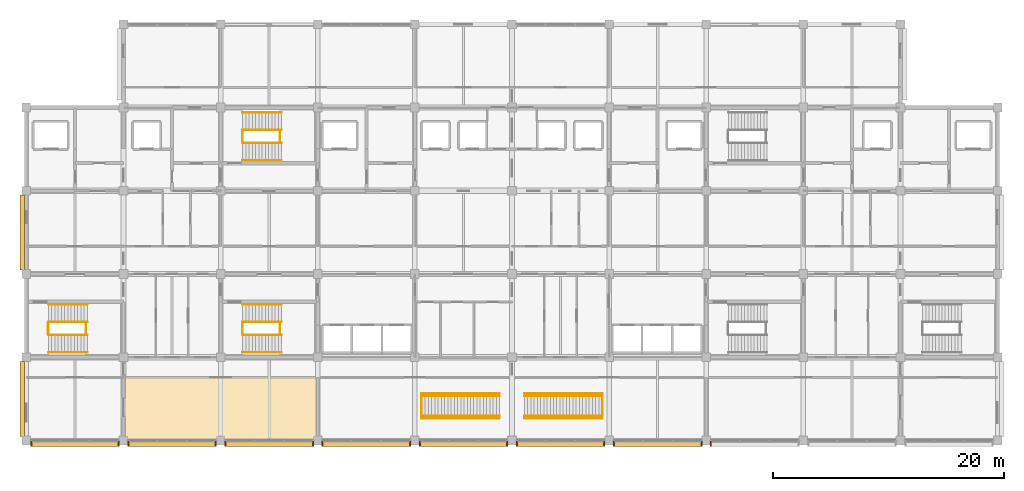
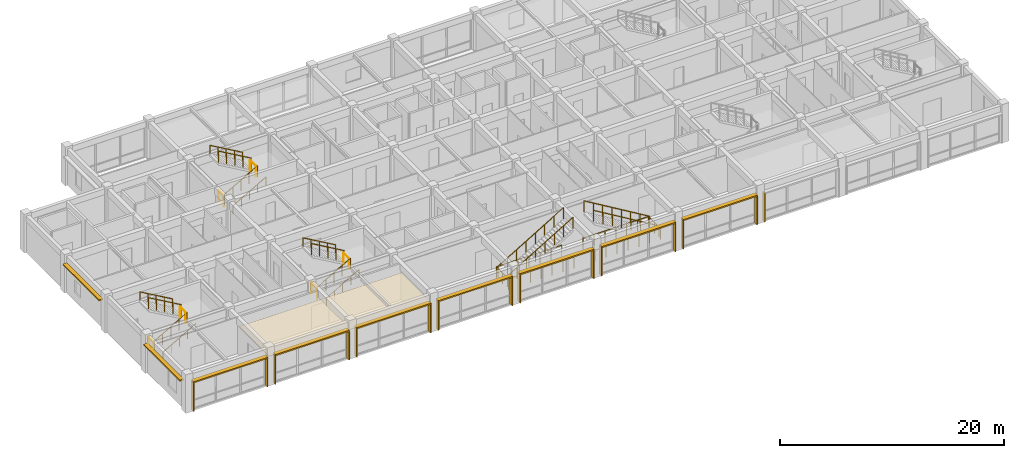
# One storey, part 25 of 27: 28 railings, 24 shading devices, 1 covering.
"""IFC4 building model written with IfcOpenShell, lengths in metres."""

from ifc_helpers import new_model, si_unit, direction, frame, origin, origin_2d, place, context, subcontext, project, spatial, polyline, rectangle, circle, outline, extrude, material, layer, layer_set, type_object, element, save


model = new_model("IFC4")

# Units and contexts
model_context = context("Model", 3, precision=1e-05, world=origin(), true_north=direction((0.0, 1.0)))
body_context = subcontext(model_context, "Body", "Model", "MODEL_VIEW")
ifc_project = project(units=[si_unit("LENGTHUNIT", "METRE"), si_unit("AREAUNIT", "SQUARE_METRE"), si_unit("VOLUMEUNIT", "CUBIC_METRE"), si_unit("PLANEANGLEUNIT", "RADIAN"), si_unit("MASSUNIT", "GRAM", prefix="KILO")], contexts=[model_context])

# Site, building, storey
site_placement = place(None, origin())
site = spatial("IfcSite", under=ifc_project, at=site_placement, CompositionType="ELEMENT")
building_placement = place(site_placement, origin())
building = spatial("IfcBuilding", under=site, at=building_placement, Name="Chengyuan Square Courthouse", CompositionType="ELEMENT")
storey_placement = place(building_placement, frame((0.0, 0.0, 39.300048828125)))
storey = spatial("IfcBuildingStorey", under=building, at=storey_placement, Name="L09", CompositionType="ELEMENT", Elevation=39.300048828125)

# Covering
ifc_material_1 = material(Name="Perforated Larch Glulam Acoustic Slat Ceiling", Category="wood")
ifc_layer = layer(ifc_material_1, 0.044921875)
ifc_layer_set = layer_set([ifc_layer], Name="Perforated Larch Glulam Acoustic Slat Ceiling")
covering_type = type_object("IfcCoveringType", Name="CLG-01", PredefinedType="CEILING", material=ifc_layer_set)
covering_placement = place(storey_placement, frame((0.0, 0.0, 2.849853515625)))
element("IfcCovering", 1, at=covering_placement, inside=storey, type_object=covering_type, Name="Acoustic Timber Slat Ceiling CLG-L09-CRT-A1", PredefinedType="CEILING", context=body_context, shape_type="SweptSolid", body=[
    extrude(outline(polyline([(50.449951171875, 79.25), (67.14990234375, 79.25), (67.14990234375, 84.60009765625), (50.449951171875, 84.60009765625), (50.449951171875, 79.25)])), origin(), (0.0, 0.0, 1.0), 0.045166015625),
])

# Railings
ifc_material_2 = material(Name="Tempered Glass and Timber Top-Rail Balustrade", Category="wood")
railing_type_1 = type_object("IfcRailingType", Name="RL-02", PredefinedType="BALUSTRADE", material=ifc_material_2)
for number, where, name in (
    (2, (60.68994140625, 105.0, 0.0), "Stair Floor Slot Guard ST-1 L09"),
    (3, (63.949951171875, 105.0, 2.099853515625), "Stair Landing Guard ST-1-L09"),
):
    element("IfcRailing", number, at=place(storey_placement, frame(where)), inside=storey, type_object=railing_type_1, Name=name, PredefinedType="BALUSTRADE", context=body_context, shape_type="SweptSolid", body=[
        extrude(circle(Radius=0.02392578125, at=origin_2d()), frame((0.0, 0.0, 1.17578125), z_axis=(0.0, 1.0, 0.0), x_axis=(-1.0, 0.0, 0.0)), (0.0, 0.0, 1.0), 1.0),
        extrude(circle(Radius=0.02099609375, at=origin_2d()), origin(), (0.0, 0.0, 1.0), 1.15185546875),
        extrude(circle(Radius=0.02099609375, at=origin_2d()), frame((0.0, 1.0, 0.0)), (0.0, 0.0, 1.0), 1.15185546875),
    ])
railing_1_placement = place(storey_placement, frame((60.7099609375, 104.949951171875, 0.161376953125)))
element("IfcRailing", 4, at=railing_1_placement, inside=storey, type_object=railing_type_1, Name="Stair Flight 1 Guard ST-1-L09", PredefinedType="BALUSTRADE", context=body_context, shape_type="SweptSolid", body=[
    extrude(circle(Radius=0.02392578125, at=origin_2d()), frame((0.0, 0.0, 1.17578125), z_axis=(0.866190824863, 0.0, 0.499713372768), x_axis=(0.0, 1.0, 0.0)), (0.0, 0.0, 1.0), 3.879150390625),
    extrude(circle(Radius=0.02099609375, at=origin_2d()), origin(), (0.0, 0.0, 1.0), 1.15185546875),
    extrude(circle(Radius=0.02099609375, at=origin_2d()), frame((0.840087890625, 0.0, 0.484619140625)), (0.0, 0.0, 1.0), 1.15185546875),
    extrude(circle(Radius=0.02099609375, at=origin_2d()), frame((1.68017578125, 0.0, 0.96923828125)), (0.0, 0.0, 1.0), 1.15185546875),
    extrude(circle(Radius=0.02099609375, at=origin_2d()), frame((2.52001953125, 0.0, 1.453857421875)), (0.0, 0.0, 1.0), 1.15185546875),
    extrude(circle(Radius=0.02099609375, at=origin_2d()), frame((3.360107421875, 0.0, 1.9384765625)), (0.0, 0.0, 1.0), 1.15185546875),
])
railing_2_placement = place(storey_placement, frame((64.070068359375, 106.050048828125, 2.261474609375)))
element("IfcRailing", 5, at=railing_2_placement, inside=storey, type_object=railing_type_1, Name="Stair Flight 2 Guard ST-1-L09", PredefinedType="BALUSTRADE", context=body_context, shape_type="SweptSolid", body=[
    extrude(circle(Radius=0.02392578125, at=origin_2d()), frame((0.0, 0.0, 1.17578125), z_axis=(-0.866190824863, 0.0, 0.499713372768), x_axis=(0.0, -1.0, 0.0)), (0.0, 0.0, 1.0), 3.879150390625),
    extrude(circle(Radius=0.02099609375, at=origin_2d()), origin(), (0.0, 0.0, 1.0), 1.15185546875),
    extrude(circle(Radius=0.02099609375, at=origin_2d()), frame((-0.840087890625, 0.0, 0.484619140625)), (0.0, 0.0, 1.0), 1.15185546875),
    extrude(circle(Radius=0.02099609375, at=origin_2d()), frame((-1.68017578125, 0.0, 0.96923828125)), (0.0, 0.0, 1.0), 1.15185546875),
    extrude(circle(Radius=0.02099609375, at=origin_2d()), frame((-2.52001953125, 0.0, 1.453857421875)), (0.0, 0.0, 1.0), 1.15185546875),
    extrude(circle(Radius=0.02099609375, at=origin_2d()), frame((-3.360107421875, 0.0, 1.9384765625)), (0.0, 0.0, 1.0), 1.15185546875),
])
for number, where, name in (
    (6, (60.68994140625, 88.39990234375, 0.0), "Stair Floor Slot Guard ST-3 L09"),
    (7, (63.949951171875, 88.39990234375, 2.099853515625), "Stair Landing Guard ST-3-L09"),
):
    element("IfcRailing", number, at=place(storey_placement, frame(where)), inside=storey, type_object=railing_type_1, Name=name, PredefinedType="BALUSTRADE", context=body_context, shape_type="SweptSolid", body=[
        extrude(circle(Radius=0.02392578125, at=origin_2d()), frame((0.0, 0.0, 1.17578125), z_axis=(0.0, 1.0, 0.0), x_axis=(-1.0, 0.0, 0.0)), (0.0, 0.0, 1.0), 1.0),
        extrude(circle(Radius=0.02099609375, at=origin_2d()), origin(), (0.0, 0.0, 1.0), 1.15185546875),
        extrude(circle(Radius=0.02099609375, at=origin_2d()), frame((0.0, 1.0, 0.0)), (0.0, 0.0, 1.0), 1.15185546875),
    ])
railing_3_placement = place(storey_placement, frame((60.7099609375, 88.35009765625, 0.161376953125)))
element("IfcRailing", 8, at=railing_3_placement, inside=storey, type_object=railing_type_1, Name="Stair Flight 1 Guard ST-3-L09", PredefinedType="BALUSTRADE", context=body_context, shape_type="SweptSolid", body=[
    extrude(circle(Radius=0.02392578125, at=origin_2d()), frame((0.0, 0.0, 1.17578125), z_axis=(0.866190824863, 0.0, 0.499713372768), x_axis=(0.0, 1.0, 0.0)), (0.0, 0.0, 1.0), 3.879150390625),
    extrude(circle(Radius=0.02099609375, at=origin_2d()), origin(), (0.0, 0.0, 1.0), 1.15185546875),
    extrude(circle(Radius=0.02099609375, at=origin_2d()), frame((0.840087890625, 0.0, 0.484619140625)), (0.0, 0.0, 1.0), 1.15185546875),
    extrude(circle(Radius=0.02099609375, at=origin_2d()), frame((1.68017578125, 0.0, 0.96923828125)), (0.0, 0.0, 1.0), 1.15185546875),
    extrude(circle(Radius=0.02099609375, at=origin_2d()), frame((2.52001953125, 0.0, 1.453857421875)), (0.0, 0.0, 1.0), 1.15185546875),
    extrude(circle(Radius=0.02099609375, at=origin_2d()), frame((3.360107421875, 0.0, 1.9384765625)), (0.0, 0.0, 1.0), 1.15185546875),
])
railing_4_placement = place(storey_placement, frame((64.070068359375, 89.449951171875, 2.261474609375)))
element("IfcRailing", 9, at=railing_4_placement, inside=storey, type_object=railing_type_1, Name="Stair Flight 2 Guard ST-3-L09", PredefinedType="BALUSTRADE", context=body_context, shape_type="SweptSolid", body=[
    extrude(circle(Radius=0.02392578125, at=origin_2d()), frame((0.0, 0.0, 1.17578125), z_axis=(-0.866190824863, 0.0, 0.499713372768), x_axis=(0.0, -1.0, 0.0)), (0.0, 0.0, 1.0), 3.879150390625),
    extrude(circle(Radius=0.02099609375, at=origin_2d()), origin(), (0.0, 0.0, 1.0), 1.15185546875),
    extrude(circle(Radius=0.02099609375, at=origin_2d()), frame((-0.840087890625, 0.0, 0.484619140625)), (0.0, 0.0, 1.0), 1.15185546875),
    extrude(circle(Radius=0.02099609375, at=origin_2d()), frame((-1.68017578125, 0.0, 0.96923828125)), (0.0, 0.0, 1.0), 1.15185546875),
    extrude(circle(Radius=0.02099609375, at=origin_2d()), frame((-2.52001953125, 0.0, 1.453857421875)), (0.0, 0.0, 1.0), 1.15185546875),
    extrude(circle(Radius=0.02099609375, at=origin_2d()), frame((-3.360107421875, 0.0, 1.9384765625)), (0.0, 0.0, 1.0), 1.15185546875),
])
for number, where, name in (
    (10, (43.889892578125, 88.39990234375, 0.0), "Stair Floor Slot Guard ST-5 L09"),
    (11, (47.14990234375, 88.39990234375, 2.099853515625), "Stair Landing Guard ST-5-L09"),
):
    element("IfcRailing", number, at=place(storey_placement, frame(where)), inside=storey, type_object=railing_type_1, Name=name, PredefinedType="BALUSTRADE", context=body_context, shape_type="SweptSolid", body=[
        extrude(circle(Radius=0.02392578125, at=origin_2d()), frame((0.0, 0.0, 1.17578125), z_axis=(0.0, 1.0, 0.0), x_axis=(-1.0, 0.0, 0.0)), (0.0, 0.0, 1.0), 1.0),
        extrude(circle(Radius=0.02099609375, at=origin_2d()), origin(), (0.0, 0.0, 1.0), 1.15185546875),
        extrude(circle(Radius=0.02099609375, at=origin_2d()), frame((0.0, 1.0, 0.0)), (0.0, 0.0, 1.0), 1.15185546875),
    ])
railing_5_placement = place(storey_placement, frame((43.909912109375, 88.35009765625, 0.161376953125)))
element("IfcRailing", 12, at=railing_5_placement, inside=storey, type_object=railing_type_1, Name="Stair Flight 1 Guard ST-5-L09", PredefinedType="BALUSTRADE", context=body_context, shape_type="SweptSolid", body=[
    extrude(circle(Radius=0.02392578125, at=origin_2d()), frame((0.0, 0.0, 1.17578125), z_axis=(0.866190824863, 0.0, 0.499713372768), x_axis=(0.0, 1.0, 0.0)), (0.0, 0.0, 1.0), 3.879150390625),
    extrude(circle(Radius=0.02099609375, at=origin_2d()), origin(), (0.0, 0.0, 1.0), 1.15185546875),
    extrude(circle(Radius=0.02099609375, at=origin_2d()), frame((0.840087890625, 0.0, 0.484619140625)), (0.0, 0.0, 1.0), 1.15185546875),
    extrude(circle(Radius=0.02099609375, at=origin_2d()), frame((1.68017578125, 0.0, 0.96923828125)), (0.0, 0.0, 1.0), 1.15185546875),
    extrude(circle(Radius=0.02099609375, at=origin_2d()), frame((2.52001953125, 0.0, 1.453857421875)), (0.0, 0.0, 1.0), 1.15185546875),
    extrude(circle(Radius=0.02099609375, at=origin_2d()), frame((3.360107421875, 0.0, 1.9384765625)), (0.0, 0.0, 1.0), 1.15185546875),
])
railing_6_placement = place(storey_placement, frame((47.27001953125, 89.449951171875, 2.261474609375)))
element("IfcRailing", 13, at=railing_6_placement, inside=storey, type_object=railing_type_1, Name="Stair Flight 2 Guard ST-5-L09", PredefinedType="BALUSTRADE", context=body_context, shape_type="SweptSolid", body=[
    extrude(circle(Radius=0.02392578125, at=origin_2d()), frame((0.0, 0.0, 1.17578125), z_axis=(-0.866190824863, 0.0, 0.499713372768), x_axis=(0.0, -1.0, 0.0)), (0.0, 0.0, 1.0), 3.879150390625),
    extrude(circle(Radius=0.02099609375, at=origin_2d()), origin(), (0.0, 0.0, 1.0), 1.15185546875),
    extrude(circle(Radius=0.02099609375, at=origin_2d()), frame((-0.840087890625, 0.0, 0.484619140625)), (0.0, 0.0, 1.0), 1.15185546875),
    extrude(circle(Radius=0.02099609375, at=origin_2d()), frame((-1.68017578125, 0.0, 0.96923828125)), (0.0, 0.0, 1.0), 1.15185546875),
    extrude(circle(Radius=0.02099609375, at=origin_2d()), frame((-2.52001953125, 0.0, 1.453857421875)), (0.0, 0.0, 1.0), 1.15185546875),
    extrude(circle(Radius=0.02099609375, at=origin_2d()), frame((-3.360107421875, 0.0, 1.9384765625)), (0.0, 0.0, 1.0), 1.15185546875),
])
railing_7_placement = place(storey_placement, frame((82.89990234375, 81.1201171875, 0.0)))
element("IfcRailing", 14, at=railing_7_placement, inside=storey, type_object=railing_type_1, Name="Feature Stair Well Guard ST-11A S", PredefinedType="BALUSTRADE", context=body_context, shape_type="SweptSolid", body=[
    extrude(circle(Radius=0.02392578125, at=origin_2d()), frame((0.0, 0.0, 1.17578125), z_axis=(-1.0, 0.0, 0.0), x_axis=(0.0, -1.0, 0.0)), (0.0, 0.0, 1.0), 6.72998046875),
    extrude(circle(Radius=0.02099609375, at=origin_2d()), origin(), (0.0, 0.0, 1.0), 1.15185546875),
    extrude(circle(Radius=0.02099609375, at=origin_2d()), frame((-1.12158203125, 0.0, 0.0)), (0.0, 0.0, 1.0), 1.15185546875),
    extrude(circle(Radius=0.02099609375, at=origin_2d()), frame((-2.243408203125, 0.0, 0.0)), (0.0, 0.0, 1.0), 1.15185546875),
    extrude(circle(Radius=0.02099609375, at=origin_2d()), frame((-3.364990234375, 0.0, 0.0)), (0.0, 0.0, 1.0), 1.15185546875),
    extrude(circle(Radius=0.02099609375, at=origin_2d()), frame((-4.486572265625, 0.0, 0.0)), (0.0, 0.0, 1.0), 1.15185546875),
    extrude(circle(Radius=0.02099609375, at=origin_2d()), frame((-5.6083984375, 0.0, 0.0)), (0.0, 0.0, 1.0), 1.15185546875),
    extrude(circle(Radius=0.02099609375, at=origin_2d()), frame((-6.72998046875, 0.0, 0.0)), (0.0, 0.0, 1.0), 1.15185546875),
])
railing_8_placement = place(storey_placement, frame((76.169921875, 81.1201171875, 0.0)))
element("IfcRailing", 15, at=railing_8_placement, inside=storey, type_object=railing_type_1, Name="Feature Stair Well Guard ST-11A W", PredefinedType="BALUSTRADE", context=body_context, shape_type="SweptSolid", body=[
    extrude(circle(Radius=0.02392578125, at=origin_2d()), frame((0.0, 0.0, 1.17578125), z_axis=(0.0, 1.0, 0.0), x_axis=(-1.0, 0.0, 0.0)), (0.0, 0.0, 1.0), 2.159912109375),
    extrude(circle(Radius=0.02099609375, at=origin_2d()), origin(), (0.0, 0.0, 1.0), 1.15185546875),
    extrude(circle(Radius=0.02099609375, at=origin_2d()), frame((0.0, 1.080078125, 0.0)), (0.0, 0.0, 1.0), 1.15185546875),
    extrude(circle(Radius=0.02099609375, at=origin_2d()), frame((0.0, 2.159912109375, 0.0)), (0.0, 0.0, 1.0), 1.15185546875),
])
for number, where, name in (
    (16, (76.169921875, 83.280029296875, 0.0), "Feature Stair Well Guard ST-11A N"),
    (17, (85.10009765625, 81.1201171875, 0.0), "Feature Stair Well Guard ST-11B S"),
):
    element("IfcRailing", number, at=place(storey_placement, frame(where)), inside=storey, type_object=railing_type_1, Name=name, PredefinedType="BALUSTRADE", context=body_context, shape_type="SweptSolid", body=[
        extrude(circle(Radius=0.02392578125, at=origin_2d()), frame((0.0, 0.0, 1.17578125), z_axis=(1.0, 0.0, 0.0), x_axis=(0.0, 1.0, 0.0)), (0.0, 0.0, 1.0), 6.72998046875),
        extrude(circle(Radius=0.02099609375, at=origin_2d()), origin(), (0.0, 0.0, 1.0), 1.15185546875),
        extrude(circle(Radius=0.02099609375, at=origin_2d()), frame((1.12158203125, 0.0, 0.0)), (0.0, 0.0, 1.0), 1.15185546875),
        extrude(circle(Radius=0.02099609375, at=origin_2d()), frame((2.243408203125, 0.0, 0.0)), (0.0, 0.0, 1.0), 1.15185546875),
        extrude(circle(Radius=0.02099609375, at=origin_2d()), frame((3.364990234375, 0.0, 0.0)), (0.0, 0.0, 1.0), 1.15185546875),
        extrude(circle(Radius=0.02099609375, at=origin_2d()), frame((4.486572265625, 0.0, 0.0)), (0.0, 0.0, 1.0), 1.15185546875),
        extrude(circle(Radius=0.02099609375, at=origin_2d()), frame((5.6083984375, 0.0, 0.0)), (0.0, 0.0, 1.0), 1.15185546875),
        extrude(circle(Radius=0.02099609375, at=origin_2d()), frame((6.72998046875, 0.0, 0.0)), (0.0, 0.0, 1.0), 1.15185546875),
    ])
railing_9_placement = place(storey_placement, frame((91.830078125, 81.1201171875, 0.0)))
element("IfcRailing", 18, at=railing_9_placement, inside=storey, type_object=railing_type_1, Name="Feature Stair Well Guard ST-11B E", PredefinedType="BALUSTRADE", context=body_context, shape_type="SweptSolid", body=[
    extrude(circle(Radius=0.02392578125, at=origin_2d()), frame((0.0, 0.0, 1.17578125), z_axis=(0.0, 1.0, 0.0), x_axis=(-1.0, 0.0, 0.0)), (0.0, 0.0, 1.0), 2.159912109375),
    extrude(circle(Radius=0.02099609375, at=origin_2d()), origin(), (0.0, 0.0, 1.0), 1.15185546875),
    extrude(circle(Radius=0.02099609375, at=origin_2d()), frame((0.0, 1.080078125, 0.0)), (0.0, 0.0, 1.0), 1.15185546875),
    extrude(circle(Radius=0.02099609375, at=origin_2d()), frame((0.0, 2.159912109375, 0.0)), (0.0, 0.0, 1.0), 1.15185546875),
])
railing_10_placement = place(storey_placement, frame((91.830078125, 83.280029296875, 0.0)))
element("IfcRailing", 19, at=railing_10_placement, inside=storey, type_object=railing_type_1, Name="Feature Stair Well Guard ST-11B N", PredefinedType="BALUSTRADE", context=body_context, shape_type="SweptSolid", body=[
    extrude(circle(Radius=0.02392578125, at=origin_2d()), frame((0.0, 0.0, 1.17578125), z_axis=(-1.0, 0.0, 0.0), x_axis=(0.0, -1.0, 0.0)), (0.0, 0.0, 1.0), 6.72998046875),
    extrude(circle(Radius=0.02099609375, at=origin_2d()), origin(), (0.0, 0.0, 1.0), 1.15185546875),
    extrude(circle(Radius=0.02099609375, at=origin_2d()), frame((-1.12158203125, 0.0, 0.0)), (0.0, 0.0, 1.0), 1.15185546875),
    extrude(circle(Radius=0.02099609375, at=origin_2d()), frame((-2.243408203125, 0.0, 0.0)), (0.0, 0.0, 1.0), 1.15185546875),
    extrude(circle(Radius=0.02099609375, at=origin_2d()), frame((-3.364990234375, 0.0, 0.0)), (0.0, 0.0, 1.0), 1.15185546875),
    extrude(circle(Radius=0.02099609375, at=origin_2d()), frame((-4.486572265625, 0.0, 0.0)), (0.0, 0.0, 1.0), 1.15185546875),
    extrude(circle(Radius=0.02099609375, at=origin_2d()), frame((-5.6083984375, 0.0, 0.0)), (0.0, 0.0, 1.0), 1.15185546875),
    extrude(circle(Radius=0.02099609375, at=origin_2d()), frame((-6.72998046875, 0.0, 0.0)), (0.0, 0.0, 1.0), 1.15185546875),
])
for number, where, name in (
    (20, (76.2099609375, 81.340087890625, 0.16796875), "Feature Stair Flight Guard ST-11C"),
    (21, (76.2099609375, 83.06005859375, 0.16796875), "Feature Stair Flight Guard ST-11C"),
):
    element("IfcRailing", number, at=place(storey_placement, frame(where)), inside=storey, type_object=railing_type_1, Name=name, PredefinedType="BALUSTRADE", context=body_context, shape_type="SweptSolid", body=[
        extrude(circle(Radius=0.02392578125, at=origin_2d()), frame((0.0, 0.0, 1.17578125), z_axis=(0.857492925713, 0.0, 0.514495755428), x_axis=(0.0, 1.0, 0.0)), (0.0, 0.0, 1.0), 7.836669921875),
        extrude(circle(Radius=0.02099609375, at=origin_2d()), origin(), (0.0, 0.0, 1.0), 1.15185546875),
        extrude(circle(Radius=0.02099609375, at=origin_2d()), frame((0.9599609375, 0.0, 0.575927734375)), (0.0, 0.0, 1.0), 1.15185546875),
        extrude(circle(Radius=0.02099609375, at=origin_2d()), frame((1.919921875, 0.0, 1.152099609375)), (0.0, 0.0, 1.0), 1.15185546875),
        extrude(circle(Radius=0.02099609375, at=origin_2d()), frame((2.8798828125, 0.0, 1.72802734375)), (0.0, 0.0, 1.0), 1.15185546875),
        extrude(circle(Radius=0.02099609375, at=origin_2d()), frame((3.840087890625, 0.0, 2.303955078125)), (0.0, 0.0, 1.0), 1.15185546875),
        extrude(circle(Radius=0.02099609375, at=origin_2d()), frame((4.800048828125, 0.0, 2.8798828125)), (0.0, 0.0, 1.0), 1.15185546875),
        extrude(circle(Radius=0.02099609375, at=origin_2d()), frame((5.760009765625, 0.0, 3.4560546875)), (0.0, 0.0, 1.0), 1.15185546875),
        extrude(circle(Radius=0.02099609375, at=origin_2d()), frame((6.719970703125, 0.0, 4.031982421875)), (0.0, 0.0, 1.0), 1.15185546875),
    ])
for number, where, name in (
    (22, (91.7900390625, 81.340087890625, 0.16796875), "Feature Stair Flight Guard ST-11D"),
    (23, (91.7900390625, 83.06005859375, 0.16796875), "Feature Stair Flight Guard ST-11D"),
):
    element("IfcRailing", number, at=place(storey_placement, frame(where)), inside=storey, type_object=railing_type_1, Name=name, PredefinedType="BALUSTRADE", context=body_context, shape_type="SweptSolid", body=[
        extrude(circle(Radius=0.02392578125, at=origin_2d()), frame((0.0, 0.0, 1.17578125), z_axis=(-0.857492925713, 0.0, 0.514495755428), x_axis=(0.0, -1.0, 0.0)), (0.0, 0.0, 1.0), 7.836669921875),
        extrude(circle(Radius=0.02099609375, at=origin_2d()), origin(), (0.0, 0.0, 1.0), 1.15185546875),
        extrude(circle(Radius=0.02099609375, at=origin_2d()), frame((-0.9599609375, 0.0, 0.575927734375)), (0.0, 0.0, 1.0), 1.15185546875),
        extrude(circle(Radius=0.02099609375, at=origin_2d()), frame((-1.919921875, 0.0, 1.152099609375)), (0.0, 0.0, 1.0), 1.15185546875),
        extrude(circle(Radius=0.02099609375, at=origin_2d()), frame((-2.8798828125, 0.0, 1.72802734375)), (0.0, 0.0, 1.0), 1.15185546875),
        extrude(circle(Radius=0.02099609375, at=origin_2d()), frame((-3.840087890625, 0.0, 2.303955078125)), (0.0, 0.0, 1.0), 1.15185546875),
        extrude(circle(Radius=0.02099609375, at=origin_2d()), frame((-4.800048828125, 0.0, 2.8798828125)), (0.0, 0.0, 1.0), 1.15185546875),
        extrude(circle(Radius=0.02099609375, at=origin_2d()), frame((-5.760009765625, 0.0, 3.4560546875)), (0.0, 0.0, 1.0), 1.15185546875),
        extrude(circle(Radius=0.02099609375, at=origin_2d()), frame((-6.719970703125, 0.0, 4.031982421875)), (0.0, 0.0, 1.0), 1.15185546875),
    ])
ifc_material_3 = material(Name="Stainless Steel S30408 Stair Handrail", Category="steel")
railing_type_2 = type_object("IfcRailingType", Name="RL-04", PredefinedType="HANDRAIL", material=ifc_material_3)
railing_11_placement = place(storey_placement, frame((60.7099609375, 103.419921875, 0.161376953125)))
element("IfcRailing", 24, at=railing_11_placement, inside=storey, type_object=railing_type_2, Name="Stair Flight 1 Handrail ST-1-L09", PredefinedType="HANDRAIL", context=body_context, shape_type="SweptSolid", body=[
    extrude(circle(Radius=0.02392578125, at=origin_2d()), frame((0.0, 0.0, 0.8759765625), z_axis=(0.866190824863, 0.0, 0.499713372768), x_axis=(0.0, 1.0, 0.0)), (0.0, 0.0, 1.0), 3.879150390625),
    extrude(circle(Radius=0.02099609375, at=origin_2d()), origin(), (0.0, 0.0, 1.0), 0.851806640625),
    extrude(circle(Radius=0.02099609375, at=origin_2d()), frame((0.840087890625, 0.0, 0.484619140625)), (0.0, 0.0, 1.0), 0.851806640625),
    extrude(circle(Radius=0.02099609375, at=origin_2d()), frame((1.68017578125, 0.0, 0.96923828125)), (0.0, 0.0, 1.0), 0.851806640625),
    extrude(circle(Radius=0.02099609375, at=origin_2d()), frame((2.52001953125, 0.0, 1.453857421875)), (0.0, 0.0, 1.0), 0.851806640625),
    extrude(circle(Radius=0.02099609375, at=origin_2d()), frame((3.360107421875, 0.0, 1.9384765625)), (0.0, 0.0, 1.0), 0.851806640625),
])
railing_12_placement = place(storey_placement, frame((64.070068359375, 107.580078125, 2.261474609375)))
element("IfcRailing", 25, at=railing_12_placement, inside=storey, type_object=railing_type_2, Name="Stair Flight 2 Handrail ST-1-L09", PredefinedType="HANDRAIL", context=body_context, shape_type="SweptSolid", body=[
    extrude(circle(Radius=0.02392578125, at=origin_2d()), frame((0.0, 0.0, 0.8759765625), z_axis=(-0.866190824863, 0.0, 0.499713372768), x_axis=(0.0, -1.0, 0.0)), (0.0, 0.0, 1.0), 3.879150390625),
    extrude(circle(Radius=0.02099609375, at=origin_2d()), origin(), (0.0, 0.0, 1.0), 0.851806640625),
    extrude(circle(Radius=0.02099609375, at=origin_2d()), frame((-0.840087890625, 0.0, 0.484619140625)), (0.0, 0.0, 1.0), 0.851806640625),
    extrude(circle(Radius=0.02099609375, at=origin_2d()), frame((-1.68017578125, 0.0, 0.96923828125)), (0.0, 0.0, 1.0), 0.851806640625),
    extrude(circle(Radius=0.02099609375, at=origin_2d()), frame((-2.52001953125, 0.0, 1.453857421875)), (0.0, 0.0, 1.0), 0.851806640625),
    extrude(circle(Radius=0.02099609375, at=origin_2d()), frame((-3.360107421875, 0.0, 1.9384765625)), (0.0, 0.0, 1.0), 0.851806640625),
])
railing_13_placement = place(storey_placement, frame((60.7099609375, 86.820068359375, 0.161376953125)))
element("IfcRailing", 26, at=railing_13_placement, inside=storey, type_object=railing_type_2, Name="Stair Flight 1 Handrail ST-3-L09", PredefinedType="HANDRAIL", context=body_context, shape_type="SweptSolid", body=[
    extrude(circle(Radius=0.02392578125, at=origin_2d()), frame((0.0, 0.0, 0.8759765625), z_axis=(0.866190824863, 0.0, 0.499713372768), x_axis=(0.0, 1.0, 0.0)), (0.0, 0.0, 1.0), 3.879150390625),
    extrude(circle(Radius=0.02099609375, at=origin_2d()), origin(), (0.0, 0.0, 1.0), 0.851806640625),
    extrude(circle(Radius=0.02099609375, at=origin_2d()), frame((0.840087890625, 0.0, 0.484619140625)), (0.0, 0.0, 1.0), 0.851806640625),
    extrude(circle(Radius=0.02099609375, at=origin_2d()), frame((1.68017578125, 0.0, 0.96923828125)), (0.0, 0.0, 1.0), 0.851806640625),
    extrude(circle(Radius=0.02099609375, at=origin_2d()), frame((2.52001953125, 0.0, 1.453857421875)), (0.0, 0.0, 1.0), 0.851806640625),
    extrude(circle(Radius=0.02099609375, at=origin_2d()), frame((3.360107421875, 0.0, 1.9384765625)), (0.0, 0.0, 1.0), 0.851806640625),
])
railing_14_placement = place(storey_placement, frame((64.070068359375, 90.97998046875, 2.261474609375)))
element("IfcRailing", 27, at=railing_14_placement, inside=storey, type_object=railing_type_2, Name="Stair Flight 2 Handrail ST-3-L09", PredefinedType="HANDRAIL", context=body_context, shape_type="SweptSolid", body=[
    extrude(circle(Radius=0.02392578125, at=origin_2d()), frame((0.0, 0.0, 0.8759765625), z_axis=(-0.866190824863, 0.0, 0.499713372768), x_axis=(0.0, -1.0, 0.0)), (0.0, 0.0, 1.0), 3.879150390625),
    extrude(circle(Radius=0.02099609375, at=origin_2d()), origin(), (0.0, 0.0, 1.0), 0.851806640625),
    extrude(circle(Radius=0.02099609375, at=origin_2d()), frame((-0.840087890625, 0.0, 0.484619140625)), (0.0, 0.0, 1.0), 0.851806640625),
    extrude(circle(Radius=0.02099609375, at=origin_2d()), frame((-1.68017578125, 0.0, 0.96923828125)), (0.0, 0.0, 1.0), 0.851806640625),
    extrude(circle(Radius=0.02099609375, at=origin_2d()), frame((-2.52001953125, 0.0, 1.453857421875)), (0.0, 0.0, 1.0), 0.851806640625),
    extrude(circle(Radius=0.02099609375, at=origin_2d()), frame((-3.360107421875, 0.0, 1.9384765625)), (0.0, 0.0, 1.0), 0.851806640625),
])
railing_15_placement = place(storey_placement, frame((43.909912109375, 86.820068359375, 0.161376953125)))
element("IfcRailing", 28, at=railing_15_placement, inside=storey, type_object=railing_type_2, Name="Stair Flight 1 Handrail ST-5-L09", PredefinedType="HANDRAIL", context=body_context, shape_type="SweptSolid", body=[
    extrude(circle(Radius=0.02392578125, at=origin_2d()), frame((0.0, 0.0, 0.8759765625), z_axis=(0.866190824863, 0.0, 0.499713372768), x_axis=(0.0, 1.0, 0.0)), (0.0, 0.0, 1.0), 3.879150390625),
    extrude(circle(Radius=0.02099609375, at=origin_2d()), origin(), (0.0, 0.0, 1.0), 0.851806640625),
    extrude(circle(Radius=0.02099609375, at=origin_2d()), frame((0.840087890625, 0.0, 0.484619140625)), (0.0, 0.0, 1.0), 0.851806640625),
    extrude(circle(Radius=0.02099609375, at=origin_2d()), frame((1.68017578125, 0.0, 0.96923828125)), (0.0, 0.0, 1.0), 0.851806640625),
    extrude(circle(Radius=0.02099609375, at=origin_2d()), frame((2.52001953125, 0.0, 1.453857421875)), (0.0, 0.0, 1.0), 0.851806640625),
    extrude(circle(Radius=0.02099609375, at=origin_2d()), frame((3.360107421875, 0.0, 1.9384765625)), (0.0, 0.0, 1.0), 0.851806640625),
])
railing_16_placement = place(storey_placement, frame((47.27001953125, 90.97998046875, 2.261474609375)))
element("IfcRailing", 29, at=railing_16_placement, inside=storey, type_object=railing_type_2, Name="Stair Flight 2 Handrail ST-5-L09", PredefinedType="HANDRAIL", context=body_context, shape_type="SweptSolid", body=[
    extrude(circle(Radius=0.02392578125, at=origin_2d()), frame((0.0, 0.0, 0.8759765625), z_axis=(-0.866190824863, 0.0, 0.499713372768), x_axis=(0.0, -1.0, 0.0)), (0.0, 0.0, 1.0), 3.879150390625),
    extrude(circle(Radius=0.02099609375, at=origin_2d()), origin(), (0.0, 0.0, 1.0), 0.851806640625),
    extrude(circle(Radius=0.02099609375, at=origin_2d()), frame((-0.840087890625, 0.0, 0.484619140625)), (0.0, 0.0, 1.0), 0.851806640625),
    extrude(circle(Radius=0.02099609375, at=origin_2d()), frame((-1.68017578125, 0.0, 0.96923828125)), (0.0, 0.0, 1.0), 0.851806640625),
    extrude(circle(Radius=0.02099609375, at=origin_2d()), frame((-2.52001953125, 0.0, 1.453857421875)), (0.0, 0.0, 1.0), 0.851806640625),
    extrude(circle(Radius=0.02099609375, at=origin_2d()), frame((-3.360107421875, 0.0, 1.9384765625)), (0.0, 0.0, 1.0), 0.851806640625),
])

# Shading devices
ifc_material_4 = material(Name="Glulam TCt28 Solar Shading Fin", Category="wood")
shading_device_type_1 = type_object("IfcShadingDeviceType", Name="SHD-01", PredefinedType="JALOUSIE", material=ifc_material_4)
for number, where, z_axis, x_axis, name in (
    (30, (42.405029296875, 78.91796875, 0.0400390625), (0.0, 0.0, 1.0), (0.0, 1.0, 0.0), "Glulam Solar Fin SHD-L09-0719"),
    (31, (49.9951171875, 78.91796875, 0.0400390625), (0.0, 0.0, 1.0), (0.0, 1.0, 0.0), "Glulam Solar Fin SHD-L09-0720"),
    (32, (50.804931640625, 78.91796875, 0.0400390625), (0.0, 0.0, 1.0), (0.0, 1.0, 0.0), "Glulam Solar Fin SHD-L09-0724"),
    (33, (58.39501953125, 78.91796875, 0.0400390625), (0.0, 0.0, 1.0), (0.0, 1.0, 0.0), "Glulam Solar Fin SHD-L09-0725"),
    (34, (59.205078125, 78.91796875, 0.0400390625), (0.0, 0.0, 1.0), (0.0, 1.0, 0.0), "Glulam Solar Fin SHD-L09-0728"),
    (35, (66.794921875, 78.91796875, 0.0400390625), (0.0, 0.0, 1.0), (0.0, 1.0, 0.0), "Glulam Solar Fin SHD-L09-0729"),
    (36, (67.60498046875, 78.91796875, 0.0400390625), (0.0, 0.0, 1.0), (0.0, 1.0, 0.0), "Glulam Solar Fin SHD-L09-0731"),
    (37, (75.195068359375, 78.91796875, 0.0400390625), (0.0, 0.0, 1.0), (0.0, 1.0, 0.0), "Glulam Solar Fin SHD-L09-0732"),
    (38, (76.0048828125, 78.91796875, 0.0400390625), (0.0, 0.0, 1.0), (0.0, 1.0, 0.0), "Glulam Solar Fin SHD-L09-0734"),
    (39, (83.594970703125, 78.91796875, 0.0400390625), (0.0, 0.0, 1.0), (0.0, 1.0, 0.0), "Glulam Solar Fin SHD-L09-0735"),
    (40, (84.405029296875, 78.91796875, 0.0400390625), (0.0, 0.0, 1.0), (0.0, 1.0, 0.0), "Glulam Solar Fin SHD-L09-0737"),
    (41, (91.9951171875, 78.91796875, 0.0400390625), (0.0, 0.0, 1.0), (0.0, 1.0, 0.0), "Glulam Solar Fin SHD-L09-0738"),
    (42, (92.804931640625, 78.91796875, 0.0400390625), (0.0, 0.0, 1.0), (0.0, 1.0, 0.0), "Glulam Solar Fin SHD-L09-0740"),
    (43, (100.39501953125, 78.91796875, 0.0400390625), (0.0, 0.0, 1.0), (0.0, 1.0, 0.0), "Glulam Solar Fin SHD-L09-0741"),
    (44, (101.205078125, 78.91796875, 0.0400390625), (0.0, 0.0, 1.0), (0.0, 1.0, 0.0), "Glulam Solar Fin SHD-L09-0743"),
):
    element("IfcShadingDevice", number, at=place(storey_placement, frame(where, z_axis=z_axis, x_axis=x_axis)), inside=storey, type_object=shading_device_type_1, Name=name, PredefinedType="JALOUSIE", context=body_context, shape_type="SweptSolid", body=[
        extrude(rectangle(XDim=0.419921875, YDim=0.094970703125, at=origin_2d()), origin(), (0.0, 0.0, 1.0), 3.090087890625),
    ])
ifc_material_5 = material(Name="Glulam TCt28 Sunshade Louvre", Category="wood")
shading_device_type_2 = type_object("IfcShadingDeviceType", Name="SHD-02", PredefinedType="AWNING", material=ifc_material_5)
for number, where, z_axis, x_axis, name in (
    (45, (46.199951171875, 78.91796875, 3.1298828125), (0.0, 0.0, 1.0), (1.0, 0.0, 0.0), "Glulam Sunshade Louvre SHD-L09-0721"),
    (46, (54.60009765625, 78.91796875, 3.1298828125), (0.0, 0.0, 1.0), (1.0, 0.0, 0.0), "Glulam Sunshade Louvre SHD-L09-0726"),
    (47, (63.0, 78.91796875, 3.1298828125), (0.0, 0.0, 1.0), (1.0, 0.0, 0.0), "Glulam Sunshade Louvre SHD-L09-0730"),
    (48, (71.39990234375, 78.91796875, 3.1298828125), (0.0, 0.0, 1.0), (1.0, 0.0, 0.0), "Glulam Sunshade Louvre SHD-L09-0733"),
    (49, (79.800048828125, 78.91796875, 3.1298828125), (0.0, 0.0, 1.0), (1.0, 0.0, 0.0), "Glulam Sunshade Louvre SHD-L09-0736"),
    (50, (88.199951171875, 78.91796875, 3.1298828125), (0.0, 0.0, 1.0), (1.0, 0.0, 0.0), "Glulam Sunshade Louvre SHD-L09-0739"),
    (51, (96.60009765625, 78.91796875, 3.1298828125), (0.0, 0.0, 1.0), (1.0, 0.0, 0.0), "Glulam Sunshade Louvre SHD-L09-0742"),
):
    element("IfcShadingDevice", number, at=place(storey_placement, frame(where, z_axis=z_axis, x_axis=x_axis)), inside=storey, type_object=shading_device_type_2, Name=name, PredefinedType="AWNING", context=body_context, shape_type="SweptSolid", body=[
        extrude(rectangle(XDim=7.64990234375, YDim=0.43994140625, at=origin_2d()), origin(), (0.0, 0.0, 1.0), 0.139892578125),
    ])
ifc_material_6 = material(Name="Glulam TCt28 Facade Sunshade", Category="wood")
shading_device_type_3 = type_object("IfcShadingDeviceType", Name="SHD-03", PredefinedType="AWNING", material=ifc_material_6)
for number, where, z_axis, x_axis, name in (
    (52, (41.64794921875, 82.800048828125, 3.10986328125), (0.0, 0.0, 1.0), (0.0, 1.0, 0.0), "Glulam Facade Sunshade SHD-L09-0722"),
    (53, (41.64794921875, 97.199951171875, 3.10986328125), (0.0, 0.0, 1.0), (0.0, 1.0, 0.0), "Glulam Facade Sunshade SHD-L09-0723"),
):
    element("IfcShadingDevice", number, at=place(storey_placement, frame(where, z_axis=z_axis, x_axis=x_axis)), inside=storey, type_object=shading_device_type_3, Name=name, PredefinedType="AWNING", context=body_context, shape_type="SweptSolid", body=[
        extrude(rectangle(XDim=6.4599609375, YDim=0.39990234375, at=origin_2d()), origin(), (0.0, 0.0, 1.0), 0.139892578125),
    ])

save(model, "model.ifc")
